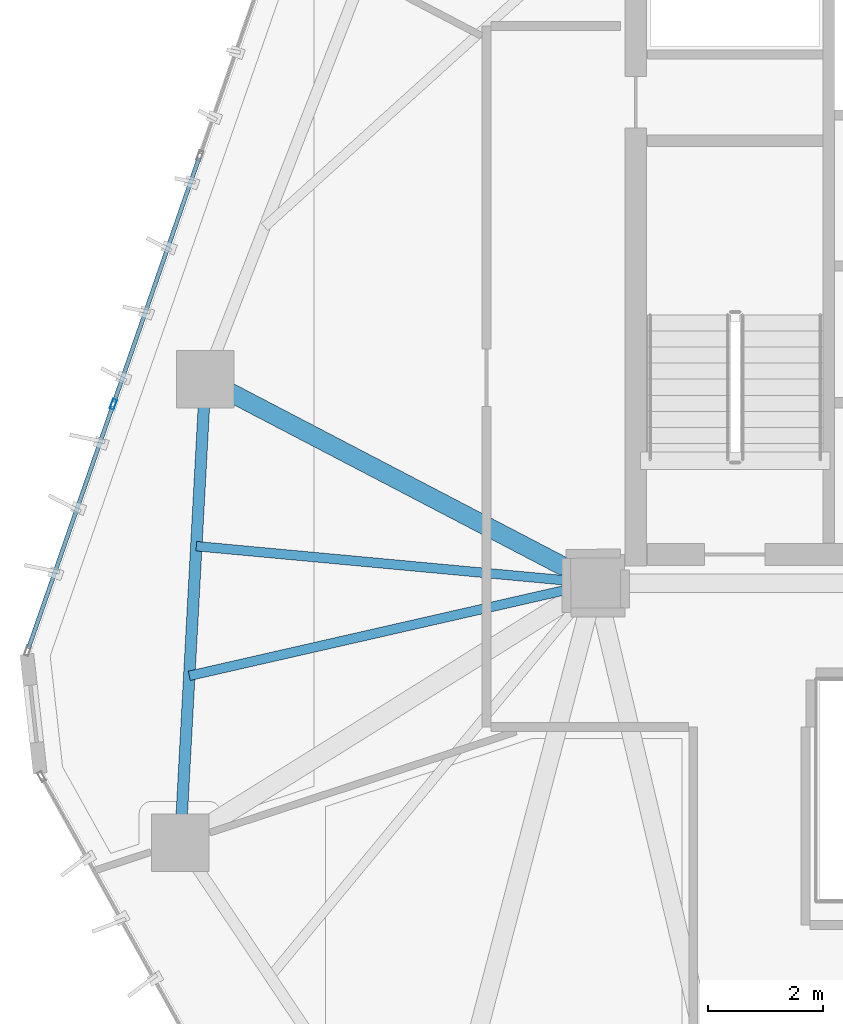
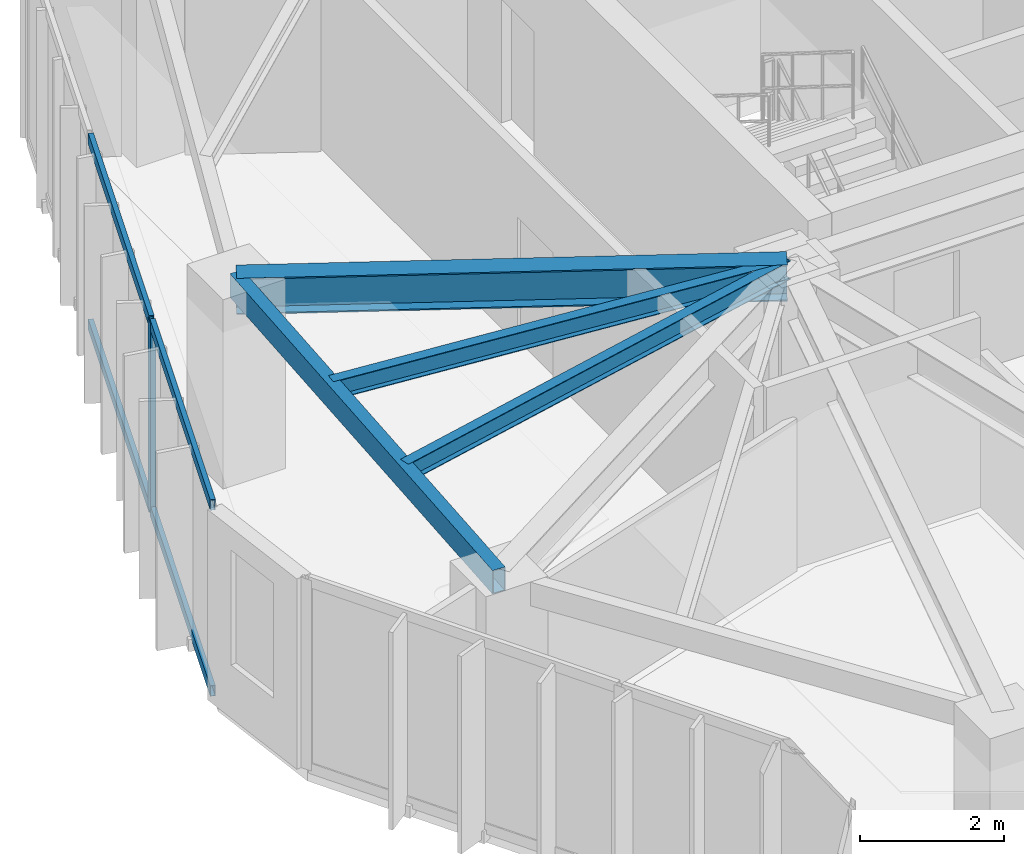
# One storey, part 7 of 20: 5 members, 4 beams, 1 element without a shape of its own.
"""IFC4 building model written with IfcOpenShell, lengths in metres."""

from ifc_helpers import new_model, si_unit, direction, frame, origin, origin_2d, place, context, subcontext, project, spatial, hollow_rectangle, i_section, extrude, source, transform, mapped, material, layer, layer_set, material_profile, profile_set, type_object, type_shapes, element, aggregate, save


model = new_model("IFC4")

# Units and contexts
model_context = context("Model", 3, precision=1e-05, world=origin(), true_north=direction((0.0, 1.0)))
body_context = subcontext(model_context, "Body", "Model", "MODEL_VIEW")
ifc_project = project(units=[si_unit("LENGTHUNIT", "METRE"), si_unit("AREAUNIT", "SQUARE_METRE"), si_unit("VOLUMEUNIT", "CUBIC_METRE"), si_unit("PLANEANGLEUNIT", "RADIAN"), si_unit("MASSUNIT", "GRAM", prefix="KILO")], contexts=[model_context])

# Site, building, storey
site_placement = place(None, origin())
site = spatial("IfcSite", under=ifc_project, at=site_placement, CompositionType="ELEMENT")
building_placement = place(site_placement, origin())
building = spatial("IfcBuilding", under=site, at=building_placement, Name="Talar Marvaseh", CompositionType="ELEMENT")
storey_placement = place(building_placement, frame((0.0, 0.0, 170.5)))
storey = spatial("IfcBuildingStorey", under=building, at=storey_placement, Name="L44", CompositionType="ELEMENT", Elevation=170.5)

# Beams
ifc_material_1 = material(Name="Steel S355", Category="steel")
ifc_material_profile_1 = material_profile(ifc_material_1, hollow_rectangle(XDim=0.199951171875, YDim=0.39990234375, WallThickness=0.013916015625, at=origin_2d()), Name="RHS400x200x14")
ifc_profile_set_1 = profile_set([ifc_material_profile_1], Name="Steel S355")
beam_type_1 = type_object("IfcBeamType", Name="Zone 3 Perimeter Spandrel Beam RHS400x200x14", PredefinedType="SPANDREL", material=ifc_profile_set_1)
beam_1_placement = place(storey_placement, frame((11.471923828125, 20.986083984375, 3.030029296875), z_axis=(0.054148078426, 0.998532916635, 0.0), x_axis=(-0.998532916635, 0.054148078426, 0.0)))
element("IfcBeam", 1, at=beam_1_placement, inside=storey, type_object=beam_type_1, Name="L44 Zone 3 Perimeter Spandrel Beam RHS400x200x14", PredefinedType="SPANDREL", context=body_context, shape_type="SweptSolid", body=[
    extrude(hollow_rectangle(XDim=0.199951171875, YDim=0.39990234375, WallThickness=0.013916015625, at=origin_2d()), origin(), (0.0, 0.0, 1.0), 8.070556640625),
])
ifc_material_profile_2 = material_profile(ifc_material_1, i_section(OverallWidth=0.324951171875, OverallDepth=0.615966796875, WebThickness=0.013916015625, FlangeThickness=0.021484375, at=origin_2d()), Name="W610x174")
ifc_profile_set_2 = profile_set([ifc_material_profile_2], Name="Steel S355")
beam_type_2 = type_object("IfcBeamType", Name="Zone 3 Radial Floor Girder W610x174", PredefinedType="BEAM", material=ifc_profile_set_2)
beam_2_placement = place(storey_placement, frame((11.908935546875, 29.044921875, 2.922119140625), z_axis=(0.886489360055, -0.462748975697, 0.0), x_axis=(0.462748975697, 0.886489360055, 0.0)))
element("IfcBeam", 2, at=beam_2_placement, inside=storey, type_object=beam_type_2, Name="L44 Zone 3 Radial Floor Girder W610x174", PredefinedType="BEAM", context=body_context, shape_type="SweptSolid", body=[
    extrude(i_section(OverallWidth=0.324951171875, OverallDepth=0.615966796875, WebThickness=0.013916015625, FlangeThickness=0.021484375, at=origin_2d()), origin(), (0.0, 0.0, 1.0), 7.66064453125),
])
ifc_material_profile_3 = material_profile(ifc_material_1, i_section(OverallWidth=0.166015625, OverallDepth=0.31298828125, WebThickness=0.006591796875, FlangeThickness=0.01123046875, at=origin_2d()), Name="W310x45")
ifc_profile_set_3 = profile_set([ifc_material_profile_3], Name="Steel S355")
beam_type_3 = type_object("IfcBeamType", Name="Zone 3 Secondary Floor Joist W310x45", PredefinedType="JOIST", material=ifc_profile_set_3)
beam_3_placement = place(storey_placement, frame((11.62939453125, 23.88720703125, 3.073486328125), z_axis=(0.974958279205, 0.222387845462, 0.0), x_axis=(-0.222387845462, 0.974958279205, 0.0)))
element("IfcBeam", 3, at=beam_3_placement, inside=storey, type_object=beam_type_3, Name="L44 Zone 3 Secondary Floor Joist W310x45", PredefinedType="JOIST", context=body_context, shape_type="SweptSolid", body=[
    extrude(i_section(OverallWidth=0.166015625, OverallDepth=0.31298828125, WebThickness=0.006591796875, FlangeThickness=0.01123046875, at=origin_2d()), origin(), (0.0, 0.0, 1.0), 7.252197265625),
])
beam_4_placement = place(storey_placement, frame((11.751708984375, 26.143798828125, 3.073486328125), z_axis=(0.995734842854, -0.092261165868, 0.0), x_axis=(0.092261165868, 0.995734842854, 0.0)))
element("IfcBeam", 4, at=beam_4_placement, inside=storey, type_object=beam_type_3, Name="L44 Zone 3 Secondary Floor Joist W310x45", PredefinedType="JOIST", context=body_context, shape_type="SweptSolid", body=[
    extrude(i_section(OverallWidth=0.166015625, OverallDepth=0.31298828125, WebThickness=0.006591796875, FlangeThickness=0.01123046875, at=origin_2d()), origin(), (0.0, 0.0, 1.0), 6.97802734375),
])

# Curtain wall, members
ifc_material_2 = material(Name="Architectural Aluminium", Category="aluminium")
ifc_layer = layer(ifc_material_2, 0.18994140625)
ifc_layer_set = layer_set([ifc_layer], Name="Architectural Aluminium")
curtain_wall_type = type_object("IfcCurtainWallType", Name="Unitised Solar Atelier Curtain Wall Z3", PredefinedType="NOTDEFINED", material=ifc_layer_set)
curtain_wall_placement = place(storey_placement, origin())
curtain_wall = element("IfcCurtainWall", 5, at=curtain_wall_placement, inside=storey, type_object=curtain_wall_type, Name="L44 Unitised Solar Atelier Curtain Wall Z3", PredefinedType="NOTDEFINED")
ifc_material_profile_4 = material_profile(ifc_material_2, hollow_rectangle(XDim=0.074951171875, YDim=0.179931640625, WallThickness=0.0048828125, at=origin_2d()), Name="RHS180x75x5")
ifc_profile_set_4 = profile_set([ifc_material_profile_4], Name="Architectural Aluminium")
member_type_1 = type_object("IfcMemberType", Name="Unitised Curtain Wall Standard Mullion RHS180x75x5", PredefinedType="MULLION", material=ifc_profile_set_4)
shared_shape_1 = source(origin(), body_context, "Body", "SweptSolid", [
    extrude(hollow_rectangle(XDim=0.074951171875, YDim=0.179931640625, WallThickness=0.0048828125, at=origin_2d()), origin(), (0.0, 0.0, 1.0), 3.22998046875),
])
type_shapes(member_type_1, [shared_shape_1])
member_1_placement = place(storey_placement, frame((10.309326171875, 28.614013671875, 0.0), z_axis=(0.0, 0.0, 1.0), x_axis=(-0.944480879974, 0.328566381975, 0.0)))
member_1 = element("IfcMember", 6, at=member_1_placement, type_object=member_type_1, Name="CW-Z3 mullion 2", PredefinedType="MULLION", context=body_context, shape_type="MappedRepresentation", body=[
    mapped(shared_shape_1, transform((0.0, 0.0, 0.0), x_axis=(1.0, 0.0, 0.0), y_axis=(0.0, 1.0, 0.0), z_axis=(0.0, 0.0, 1.0), scale=1.0)),
])
ifc_material_profile_5 = material_profile(ifc_material_2, hollow_rectangle(XDim=0.074951171875, YDim=0.179931640625, WallThickness=0.0048828125, at=origin_2d()), Name="RHS180x75x5")
ifc_profile_set_5 = profile_set([ifc_material_profile_5], Name="Architectural Aluminium")
member_type_2 = type_object("IfcMemberType", Name="Unitised Curtain Wall Transom RHS180x75x5", PredefinedType="USERDEFINED", material=ifc_profile_set_5)
shared_shape_2 = source(origin(), body_context, "Body", "SweptSolid", [
    extrude(hollow_rectangle(XDim=0.074951171875, YDim=0.179931640625, WallThickness=0.0048828125, at=origin_2d()), origin(), (0.0, 0.0, 1.0), 4.464599609375),
])
member_2_placement = place(storey_placement, frame((8.830078125, 24.36181640625, 0.03759765625), z_axis=(0.32858637209, 0.944473925567, 0.0), x_axis=(-0.944473925567, 0.32858637209, 0.0)))
member_2 = element("IfcMember", 7, at=member_2_placement, type_object=member_type_2, Name="CW-Z3 transom 1.1", ObjectType="TRANSOM", PredefinedType="USERDEFINED", context=body_context, shape_type="MappedRepresentation", body=[
    mapped(shared_shape_2, transform((0.0, 0.0, 0.0), x_axis=(1.0, 0.0, 0.0), y_axis=(0.0, 1.0, 0.0), z_axis=(0.0, 0.0, 1.0), scale=1.0)),
])
member_3_placement = place(storey_placement, frame((8.830078125, 24.36181640625, 3.1923828125), z_axis=(0.32858637209, 0.944473925567, 0.0), x_axis=(-0.944473925567, 0.32858637209, 0.0)))
member_3 = element("IfcMember", 8, at=member_3_placement, type_object=member_type_2, Name="CW-Z3 transom 1.2", ObjectType="TRANSOM", PredefinedType="USERDEFINED", context=body_context, shape_type="MappedRepresentation", body=[
    mapped(shared_shape_2, transform((0.0, 0.0, 0.0), x_axis=(1.0, 0.0, 0.0), y_axis=(0.0, 1.0, 0.0), z_axis=(0.0, 0.0, 1.0), scale=1.0)),
])
shared_shape_3 = source(origin(), body_context, "Body", "SweptSolid", [
    extrude(hollow_rectangle(XDim=0.074951171875, YDim=0.179931640625, WallThickness=0.0048828125, at=origin_2d()), origin(), (0.0, 0.0, 1.0), 4.50244140625),
])
type_shapes(member_type_2, [shared_shape_2, shared_shape_3])
member_4_placement = place(storey_placement, frame((10.32177734375, 28.6494140625, 0.03759765625), z_axis=(0.328547965799, 0.944487286399, 0.0), x_axis=(-0.944487286399, 0.328547965799, 0.0)))
member_4 = element("IfcMember", 9, at=member_4_placement, type_object=member_type_2, Name="CW-Z3 transom 2.1", ObjectType="TRANSOM", PredefinedType="USERDEFINED", context=body_context, shape_type="MappedRepresentation", body=[
    mapped(shared_shape_3, transform((0.0, 0.0, 0.0), x_axis=(1.0, 0.0, 0.0), y_axis=(0.0, 1.0, 0.0), z_axis=(0.0, 0.0, 1.0), scale=1.0)),
])
member_5_placement = place(storey_placement, frame((10.32177734375, 28.6494140625, 3.1923828125), z_axis=(0.328547965799, 0.944487286399, 0.0), x_axis=(-0.944487286399, 0.328547965799, 0.0)))
member_5 = element("IfcMember", 10, at=member_5_placement, type_object=member_type_2, Name="CW-Z3 transom 2.2", ObjectType="TRANSOM", PredefinedType="USERDEFINED", context=body_context, shape_type="MappedRepresentation", body=[
    mapped(shared_shape_3, transform((0.0, 0.0, 0.0), x_axis=(1.0, 0.0, 0.0), y_axis=(0.0, 1.0, 0.0), z_axis=(0.0, 0.0, 1.0), scale=1.0)),
])
aggregate(curtain_wall, [member_1, member_2, member_3, member_4, member_5])

save(model, "model.ifc")
